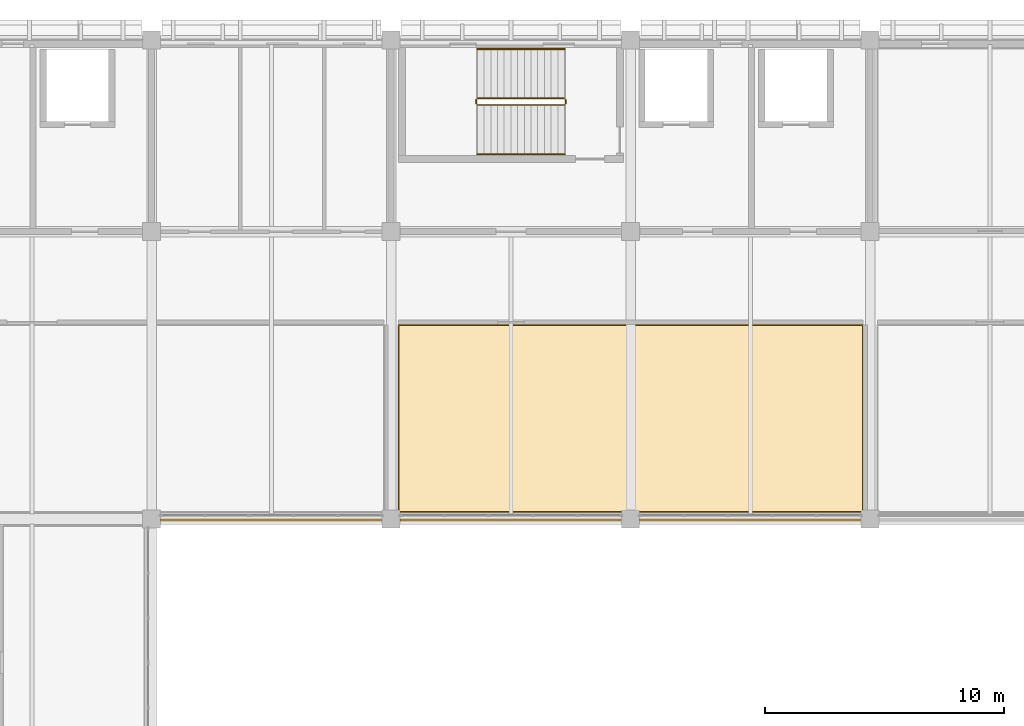
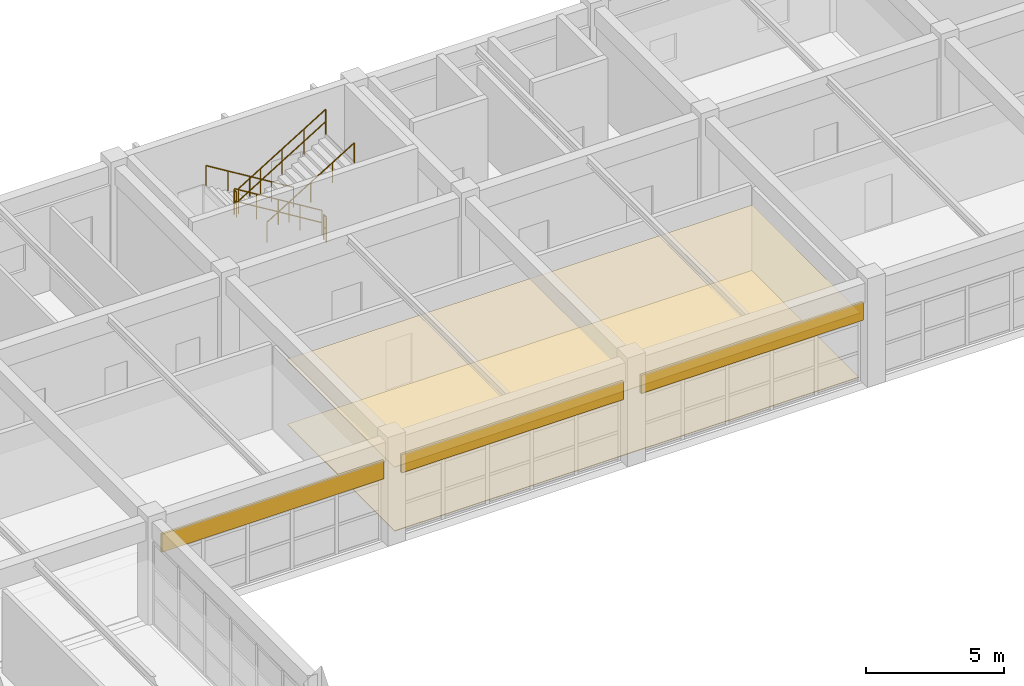
# One storey, part 107 of 109: 6 railings, 5 coverings.
"""IFC4 building model written with IfcOpenShell, lengths in metres."""

from ifc_helpers import new_model, si_unit, direction, frame, frame_2d, origin, origin_2d, place, context, subcontext, project, spatial, polyline, rectangle, circle, outline, extrude, material, layer, layer_set, type_object, element, save


model = new_model("IFC4")

# Units and contexts
model_context = context("Model", 3, precision=1e-05, world=origin(), true_north=direction((0.0, 1.0)))
body_context = subcontext(model_context, "Body", "Model", "MODEL_VIEW")
ifc_project = project(units=[si_unit("LENGTHUNIT", "METRE"), si_unit("AREAUNIT", "SQUARE_METRE"), si_unit("VOLUMEUNIT", "CUBIC_METRE"), si_unit("PLANEANGLEUNIT", "RADIAN"), si_unit("MASSUNIT", "GRAM", prefix="KILO")], contexts=[model_context])

# Site, building, storey
site_placement = place(None, origin())
site = spatial("IfcSite", under=ifc_project, at=site_placement, CompositionType="ELEMENT")
building_placement = place(site_placement, origin())
building = spatial("IfcBuilding", under=site, at=building_placement, Name="Kivolera Central Railway Station", CompositionType="ELEMENT")
storey_placement = place(building_placement, frame((0.0, 0.0, 9.60009765625)))
storey = spatial("IfcBuildingStorey", under=building, at=storey_placement, Name="L02", CompositionType="ELEMENT", Elevation=9.60009765625)

# Coverings
ifc_material_1 = material(Name="Hardwood mvule timber", Category="wood")
ifc_layer_1 = layer(ifc_material_1, 0.02490234375, Name="Hardwood mvule timber")
ifc_layer_set_1 = layer_set([ifc_layer_1], Name="Hardwood mvule timber")
covering_type_1 = type_object("IfcCoveringType", Name="COV-CEIL-25", PredefinedType="CEILING", material=ifc_layer_set_1)
covering_1_placement = place(storey_placement, frame((0.0, 0.0, 2.849853515625)))
element("IfcCovering", 1, at=covering_1_placement, inside=storey, type_object=covering_type_1, Name="L02 Commercial Catering Culinary Studio Acoustic Ceiling", PredefinedType="CEILING", context=body_context, shape_type="SweptSolid", body=[
    extrude(outline(polyline([(148.280029296875, 114.280029296875), (167.719970703125, 114.280029296875), (167.719970703125, 122.1201171875), (148.280029296875, 122.1201171875), (148.280029296875, 114.280029296875)])), origin(), (0.0, 0.0, 1.0), 0.025146484375),
])
ifc_material_2 = material(Name="Precast concrete C40/50", Category="concrete")
ifc_layer_2 = layer(ifc_material_2, 0.090087890625, Name="Precast concrete C40/50")
ifc_layer_set_2 = layer_set([ifc_layer_2], Name="Precast concrete C40/50")
covering_type_2 = type_object("IfcCoveringType", Name="COV-CLAUSTRA-90", PredefinedType="CLADDING", material=ifc_layer_set_2)
for number, where, z_axis, x_axis, name in (
    (2, (147.6298828125, 113.9599609375, 2.807861328125), (0.0, 0.0, 1.0), (-1.0, 0.0, 0.0), "L02 Monsoon Court Precast Claustra Screen 138"),
    (3, (157.6298828125, 113.9599609375, 2.807861328125), (0.0, 0.0, 1.0), (-1.0, 0.0, 0.0), "L02 Monsoon Court Precast Claustra Screen 148"),
    (4, (167.6298828125, 113.9599609375, 2.807861328125), (0.0, 0.0, 1.0), (-1.0, 0.0, 0.0), "L02 Monsoon Court Precast Claustra Screen 158"),
):
    element("IfcCovering", number, at=place(storey_placement, frame(where, z_axis=z_axis, x_axis=x_axis)), inside=storey, type_object=covering_type_2, Name=name, PredefinedType="CLADDING", context=body_context, shape_type="SweptSolid", body=[
        extrude(rectangle(XDim=9.259765625, YDim=0.090087890625, at=frame_2d((4.6298828125, 0.0))), origin(), (0.0, 0.0, 1.0), 0.800048828125),
    ])
ifc_material_3 = material(Name="Swahili coral limestone", Category="masonry")
ifc_layer_3 = layer(ifc_material_3, 0.030029296875, Name="Swahili coral limestone")
ifc_layer_set_3 = layer_set([ifc_layer_3], Name="Swahili coral limestone")
covering_type_3 = type_object("IfcCoveringType", Name="COV-FLR-30", PredefinedType="FLOORING", material=ifc_layer_set_3)
covering_2_placement = place(storey_placement, origin())
element("IfcCovering", 5, at=covering_2_placement, inside=storey, type_object=covering_type_3, Name="L02 Commercial Catering Culinary Studio Floor Finish", PredefinedType="FLOORING", context=body_context, shape_type="SweptSolid", body=[
    extrude(outline(polyline([(148.320068359375, 114.320068359375), (167.679931640625, 114.320068359375), (167.679931640625, 122.080078125), (148.320068359375, 122.080078125), (148.320068359375, 114.320068359375)])), origin(), (0.0, 0.0, 1.0), 0.02978515625),
])

# Railings
ifc_material_4 = material(Name="Anodised aluminium", Category="aluminium")
ifc_layer_4 = layer(ifc_material_4, 0.048095703125, Name="Anodised aluminium")
ifc_layer_set_4 = layer_set([ifc_layer_4], Name="Anodised aluminium")
railing_type_1 = type_object("IfcRailingType", Name="RL-STAIR-GUARD", PredefinedType="GUARDRAIL", material=ifc_layer_set_4)
railing_1_placement = place(storey_placement, frame((155.239990234375, 131.570068359375, 0.17138671875)))
element("IfcRailing", 6, at=railing_1_placement, inside=storey, type_object=railing_type_1, Name="L02 ST2 stair guard 1", PredefinedType="GUARDRAIL", context=body_context, shape_type="SweptSolid", body=[
    extrude(circle(Radius=0.02392578125, at=origin_2d()), frame((0.0, 0.0, 1.10595703125), z_axis=(-0.852850264322, 0.0, 0.5221555579), x_axis=(0.0, -1.0, 0.0)), (0.0, 0.0, 1.0), 4.267822265625),
    extrude(circle(Radius=0.02392578125, at=origin_2d()), frame((0.0, 0.0, 0.56494140625), z_axis=(-0.852850264322, 0.0, 0.5221555579), x_axis=(0.0, -1.0, 0.0)), (0.0, 0.0, 1.0), 4.267822265625),
    extrude(circle(Radius=0.02099609375, at=origin_2d()), origin(), (0.0, 0.0, 1.0), 1.081787109375),
    extrude(circle(Radius=0.02099609375, at=origin_2d()), frame((-0.909912109375, 0.0, 0.55712890625)), (0.0, 0.0, 1.0), 1.081787109375),
    extrude(circle(Radius=0.02099609375, at=origin_2d()), frame((-1.81982421875, 0.0, 1.1142578125)), (0.0, 0.0, 1.0), 1.081787109375),
    extrude(circle(Radius=0.02099609375, at=origin_2d()), frame((-2.72998046875, 0.0, 1.67138671875)), (0.0, 0.0, 1.0), 1.081787109375),
    extrude(circle(Radius=0.02099609375, at=origin_2d()), frame((-3.639892578125, 0.0, 2.228515625)), (0.0, 0.0, 1.0), 1.081787109375),
])
railing_2_placement = place(storey_placement, frame((151.550048828125, 131.52001953125, 2.39990234375)))
element("IfcRailing", 7, at=railing_2_placement, inside=storey, type_object=railing_type_1, Name="L02 ST2 stair guard 2", PredefinedType="GUARDRAIL", context=body_context, shape_type="SweptSolid", body=[
    extrude(circle(Radius=0.02392578125, at=origin_2d()), frame((0.0, 0.0, 1.10595703125), z_axis=(0.0, -1.0, 0.0), x_axis=(1.0, 0.0, 0.0)), (0.0, 0.0, 1.0), 0.179931640625),
    extrude(circle(Radius=0.02392578125, at=origin_2d()), frame((0.0, 0.0, 0.56494140625), z_axis=(0.0, -1.0, 0.0), x_axis=(1.0, 0.0, 0.0)), (0.0, 0.0, 1.0), 0.179931640625),
    extrude(circle(Radius=0.02099609375, at=origin_2d()), origin(), (0.0, 0.0, 1.0), 1.081787109375),
    extrude(circle(Radius=0.02099609375, at=origin_2d()), frame((0.0, -0.179931640625, 0.0)), (0.0, 0.0, 1.0), 1.081787109375),
])
railing_3_placement = place(storey_placement, frame((151.60009765625, 131.2900390625, 2.5712890625)))
element("IfcRailing", 8, at=railing_3_placement, inside=storey, type_object=railing_type_1, Name="L02 ST2 stair guard 3", PredefinedType="GUARDRAIL", context=body_context, shape_type="SweptSolid", body=[
    extrude(circle(Radius=0.02392578125, at=origin_2d()), frame((0.0, 0.0, 1.10595703125), z_axis=(0.852850264322, 0.0, 0.5221555579), x_axis=(0.0, 1.0, 0.0)), (0.0, 0.0, 1.0), 4.267822265625),
    extrude(circle(Radius=0.02392578125, at=origin_2d()), frame((0.0, 0.0, 0.56494140625), z_axis=(0.852850264322, 0.0, 0.5221555579), x_axis=(0.0, 1.0, 0.0)), (0.0, 0.0, 1.0), 4.267822265625),
    extrude(circle(Radius=0.02099609375, at=origin_2d()), origin(), (0.0, 0.0, 1.0), 1.081787109375),
    extrude(circle(Radius=0.02099609375, at=origin_2d()), frame((0.909912109375, 0.0, 0.55712890625)), (0.0, 0.0, 1.0), 1.081787109375),
    extrude(circle(Radius=0.02099609375, at=origin_2d()), frame((1.81982421875, 0.0, 1.1142578125)), (0.0, 0.0, 1.0), 1.081787109375),
    extrude(circle(Radius=0.02099609375, at=origin_2d()), frame((2.72998046875, 0.0, 1.67138671875)), (0.0, 0.0, 1.0), 1.081787109375),
    extrude(circle(Radius=0.02099609375, at=origin_2d()), frame((3.639892578125, 0.0, 2.228515625)), (0.0, 0.0, 1.0), 1.081787109375),
])
railing_4_placement = place(storey_placement, frame((155.2900390625, 131.52001953125, 0.0)))
element("IfcRailing", 9, at=railing_4_placement, inside=storey, type_object=railing_type_1, Name="L02 ST2 stair guard 4", PredefinedType="GUARDRAIL", context=body_context, shape_type="SweptSolid", body=[
    extrude(circle(Radius=0.02392578125, at=origin_2d()), frame((0.0, 0.0, 1.10595703125), z_axis=(0.0, -1.0, 0.0), x_axis=(1.0, 0.0, 0.0)), (0.0, 0.0, 1.0), 0.179931640625),
    extrude(circle(Radius=0.02392578125, at=origin_2d()), frame((0.0, 0.0, 0.56494140625), z_axis=(0.0, -1.0, 0.0), x_axis=(1.0, 0.0, 0.0)), (0.0, 0.0, 1.0), 0.179931640625),
    extrude(circle(Radius=0.02099609375, at=origin_2d()), origin(), (0.0, 0.0, 1.0), 1.081787109375),
    extrude(circle(Radius=0.02099609375, at=origin_2d()), frame((0.0, -0.179931640625, 0.0)), (0.0, 0.0, 1.0), 1.081787109375),
])
ifc_layer_5 = layer(ifc_material_4, 0.048095703125, Name="Anodised aluminium")
ifc_layer_set_5 = layer_set([ifc_layer_5], Name="Anodised aluminium")
railing_type_2 = type_object("IfcRailingType", Name="RL-STAIR-HAND", PredefinedType="HANDRAIL", material=ifc_layer_set_5)
railing_5_placement = place(storey_placement, frame((155.239990234375, 133.6298828125, 0.17138671875)))
element("IfcRailing", 10, at=railing_5_placement, inside=storey, type_object=railing_type_2, Name="L02 ST2 stair handrail 1", PredefinedType="HANDRAIL", context=body_context, shape_type="SweptSolid", body=[
    extrude(circle(Radius=0.02392578125, at=origin_2d()), frame((0.0, 0.0, 0.8759765625), z_axis=(-0.852850264322, 0.0, 0.5221555579), x_axis=(0.0, -1.0, 0.0)), (0.0, 0.0, 1.0), 4.267822265625),
    extrude(circle(Radius=0.02099609375, at=origin_2d()), origin(), (0.0, 0.0, 1.0), 0.851806640625),
    extrude(circle(Radius=0.02099609375, at=origin_2d()), frame((-0.909912109375, 0.0, 0.55712890625)), (0.0, 0.0, 1.0), 0.851806640625),
    extrude(circle(Radius=0.02099609375, at=origin_2d()), frame((-1.81982421875, 0.0, 1.1142578125)), (0.0, 0.0, 1.0), 0.851806640625),
    extrude(circle(Radius=0.02099609375, at=origin_2d()), frame((-2.72998046875, 0.0, 1.67138671875)), (0.0, 0.0, 1.0), 0.851806640625),
    extrude(circle(Radius=0.02099609375, at=origin_2d()), frame((-3.639892578125, 0.0, 2.228515625)), (0.0, 0.0, 1.0), 0.851806640625),
])
railing_6_placement = place(storey_placement, frame((151.60009765625, 129.22998046875, 2.5712890625)))
element("IfcRailing", 11, at=railing_6_placement, inside=storey, type_object=railing_type_2, Name="L02 ST2 stair handrail 2", PredefinedType="HANDRAIL", context=body_context, shape_type="SweptSolid", body=[
    extrude(circle(Radius=0.02392578125, at=origin_2d()), frame((0.0, 0.0, 0.8759765625), z_axis=(0.852850264322, 0.0, 0.5221555579), x_axis=(0.0, 1.0, 0.0)), (0.0, 0.0, 1.0), 4.267822265625),
    extrude(circle(Radius=0.02099609375, at=origin_2d()), origin(), (0.0, 0.0, 1.0), 0.851806640625),
    extrude(circle(Radius=0.02099609375, at=origin_2d()), frame((0.909912109375, 0.0, 0.55712890625)), (0.0, 0.0, 1.0), 0.851806640625),
    extrude(circle(Radius=0.02099609375, at=origin_2d()), frame((1.81982421875, 0.0, 1.1142578125)), (0.0, 0.0, 1.0), 0.851806640625),
    extrude(circle(Radius=0.02099609375, at=origin_2d()), frame((2.72998046875, 0.0, 1.67138671875)), (0.0, 0.0, 1.0), 0.851806640625),
    extrude(circle(Radius=0.02099609375, at=origin_2d()), frame((3.639892578125, 0.0, 2.228515625)), (0.0, 0.0, 1.0), 0.851806640625),
])

save(model, "model.ifc")
